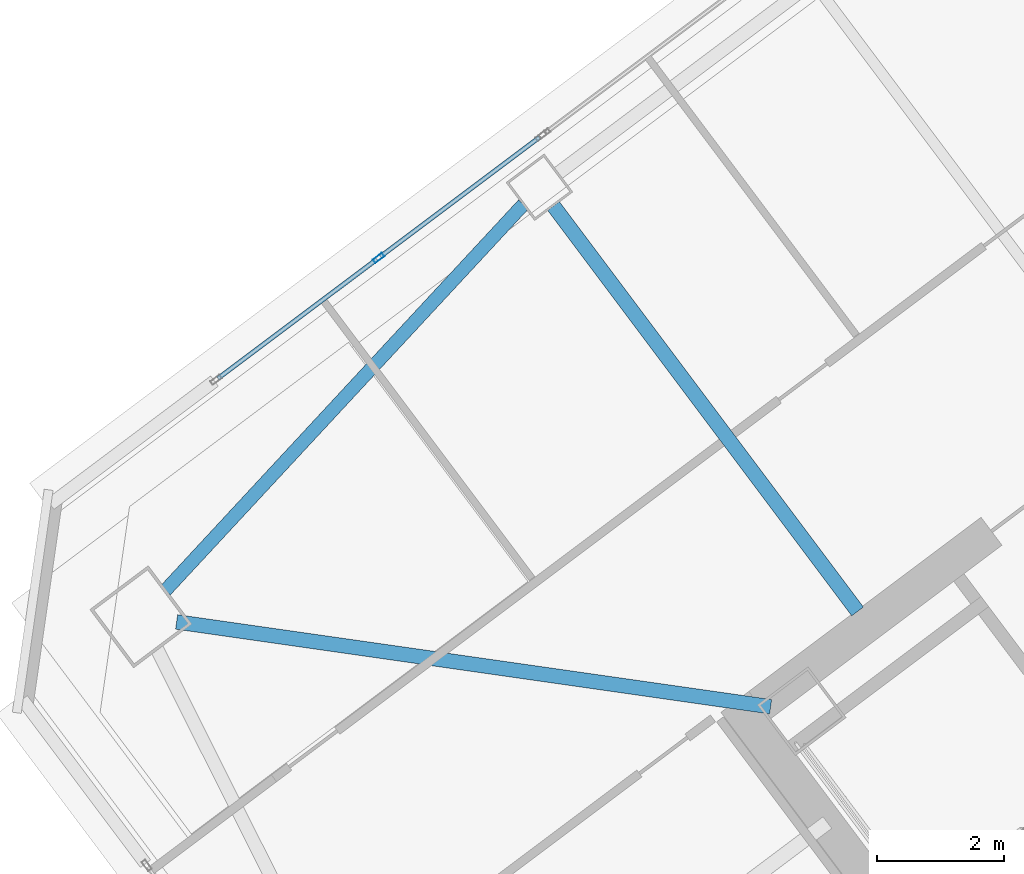
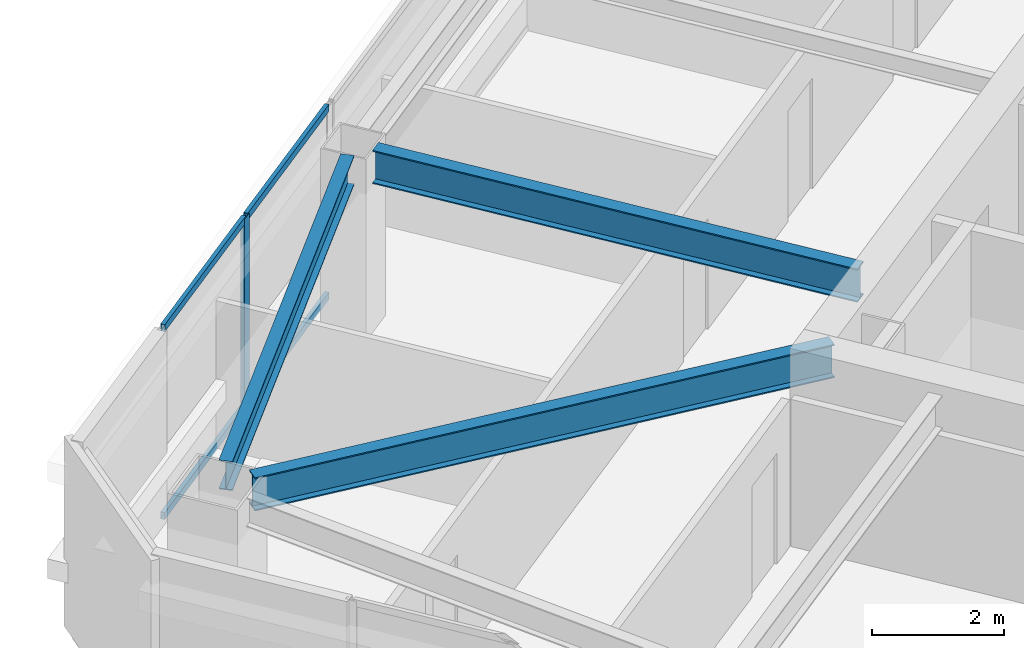
# One storey, part 22 of 43: 5 members, 3 beams, 1 element without a shape of its own.
"""IFC4 building model written with IfcOpenShell, lengths in metres."""

from ifc_helpers import new_model, si_unit, direction, frame, origin, origin_2d, place, context, subcontext, project, spatial, hollow_rectangle, i_section, extrude, material, material_profile, profile_set, type_object, element, aggregate, save


model = new_model("IFC4")

# Units and contexts
model_context = context("Model", 3, precision=1e-05, world=origin(), true_north=direction((0.0, 1.0)))
body_context = subcontext(model_context, "Body", "Model", "MODEL_VIEW")
ifc_project = project(units=[si_unit("LENGTHUNIT", "METRE"), si_unit("AREAUNIT", "SQUARE_METRE"), si_unit("VOLUMEUNIT", "CUBIC_METRE"), si_unit("PLANEANGLEUNIT", "RADIAN"), si_unit("MASSUNIT", "GRAM", prefix="KILO")], contexts=[model_context])

# Site, building, storey
site_placement = place(None, origin())
site = spatial("IfcSite", under=ifc_project, at=site_placement, CompositionType="ELEMENT")
building_placement = place(site_placement, origin())
building = spatial("IfcBuilding", under=site, at=building_placement, Name="Tashvorn Skyway Center", CompositionType="ELEMENT")
storey_placement = place(building_placement, frame((0.0, 0.0, 160.550048828125)))
storey = spatial("IfcBuildingStorey", under=building, at=storey_placement, Name="L43", CompositionType="ELEMENT", Elevation=160.550048828125)

# Beams
ifc_material_1 = material(Name="Steel ASTM A992 Grade 50", Category="steel")
ifc_material_profile_1 = material_profile(ifc_material_1, i_section(OverallWidth=0.22998046875, OverallDepth=0.616943359375, WebThickness=0.01318359375, FlangeThickness=0.022216796875, at=origin_2d()), Name="W24X94")
ifc_profile_set_1 = profile_set([ifc_material_profile_1], Name="Steel ASTM A992 Grade 50")
beam_type_1 = type_object("IfcBeamType", Name="BM-BEAM-W24X94", PredefinedType="BEAM", material=ifc_profile_set_1)
beam_1_placement = place(storey_placement, frame((94.26416015625, 34.8193359375, 3.0615234375), z_axis=(0.989950009213, -0.141417747326, 0.0), x_axis=(0.141417747326, 0.989950009213, 0.0)))
element("IfcBeam", 1, at=beam_1_placement, inside=storey, type_object=beam_type_1, Name="Tower 2 L43 Primary Floor Girder MC-NW", PredefinedType="BEAM", context=body_context, shape_type="SweptSolid", body=[
    extrude(i_section(OverallWidth=0.22998046875, OverallDepth=0.616943359375, WebThickness=0.01318359375, FlangeThickness=0.022216796875, at=origin_2d()), origin(), (0.0, 0.0, 1.0), 9.470947265625),
])
beam_2_placement = place(storey_placement, frame((100.2119140625, 41.384033203125, 3.0615234375), z_axis=(0.599995117266, -0.800003662027, 0.0), x_axis=(0.800003662027, 0.599995117266, 0.0)))
element("IfcBeam", 2, at=beam_2_placement, inside=storey, type_object=beam_type_1, Name="Tower 2 L43 Primary Floor Girder FC-N2", PredefinedType="BEAM", context=body_context, shape_type="SweptSolid", body=[
    extrude(i_section(OverallWidth=0.22998046875, OverallDepth=0.616943359375, WebThickness=0.01318359375, FlangeThickness=0.022216796875, at=origin_2d()), origin(), (0.0, 0.0, 1.0), 8.000244140625),
])
ifc_material_profile_2 = material_profile(ifc_material_1, i_section(OverallWidth=0.2109375, OverallDepth=0.5390625, WebThickness=0.01171875, FlangeThickness=0.018798828125, at=origin_2d()), Name="W21X73")
ifc_profile_set_2 = profile_set([ifc_material_profile_2], Name="Steel ASTM A992 Grade 50")
beam_type_2 = type_object("IfcBeamType", Name="BM-SPANDREL-W21X73", PredefinedType="SPANDREL", material=ifc_profile_set_2)
beam_3_placement = place(storey_placement, frame((99.73828125, 41.40869140625, 3.100341796875), z_axis=(-0.680119661736, -0.733101115618, 0.0), x_axis=(0.733101115618, -0.680119661736, 0.0)))
element("IfcBeam", 3, at=beam_3_placement, inside=storey, type_object=beam_type_2, Name="Tower 2 L43 Spandrel Beam 09", PredefinedType="SPANDREL", context=body_context, shape_type="SweptSolid", body=[
    extrude(i_section(OverallWidth=0.2109375, OverallDepth=0.5390625, WebThickness=0.01171875, FlangeThickness=0.018798828125, at=origin_2d()), origin(), (0.0, 0.0, 1.0), 8.308349609375),
])

# Curtain wall, members
ifc_material_2 = material(Name="Thermally broken bronze-anodized aluminium 6063-T6", Category="aluminium")
curtain_wall_type = type_object("IfcCurtainWallType", Name="CW-CW-Z4", PredefinedType="NOTDEFINED", material=ifc_material_2)
curtain_wall_placement = place(storey_placement, origin())
curtain_wall = element("IfcCurtainWall", 4, at=curtain_wall_placement, inside=storey, type_object=curtain_wall_type, Name="Tower 2 L43 North Unitised Curtain Wall Glazing Group 1", PredefinedType="NOTDEFINED")
ifc_material_profile_3 = material_profile(ifc_material_2, hollow_rectangle(XDim=0.070068359375, YDim=0.179931640625, WallThickness=0.00390625, at=origin_2d()), Name="ALU-MULL-70x180")
ifc_profile_set_3 = profile_set([ifc_material_profile_3], Name="Thermally broken bronze-anodized aluminium 6063-T6")
member_type_1 = type_object("IfcMemberType", Name="CWM-CW-Z4", PredefinedType="MULLION", material=ifc_profile_set_3)
member_1_placement = place(storey_placement, frame((97.451904296875, 40.56396484375, 0.0), z_axis=(0.0, 0.0, 1.0), x_axis=(-0.600000000002, 0.799999999998, 0.0)))
member_1 = element("IfcMember", 5, at=member_1_placement, type_object=member_type_1, Name="CW-Z4 mullion 2", PredefinedType="MULLION", context=body_context, shape_type="SweptSolid", body=[
    extrude(hollow_rectangle(XDim=0.070068359375, YDim=0.179931640625, WallThickness=0.00390625, at=origin_2d()), origin(), (0.0, 0.0, 1.0), 3.550048828125),
])
ifc_material_profile_4 = material_profile(ifc_material_2, hollow_rectangle(XDim=0.070068359375, YDim=0.1298828125, WallThickness=0.00390625, at=origin_2d()), Name="ALU-TRAN-70x130")
ifc_profile_set_4 = profile_set([ifc_material_profile_4], Name="Thermally broken bronze-anodized aluminium 6063-T6")
member_type_2 = type_object("IfcMemberType", Name="CWT-CW-Z4", PredefinedType="USERDEFINED", material=ifc_profile_set_4)
member_2_placement = place(storey_placement, frame((94.916015625, 38.662109375, 0.034912109375), z_axis=(0.800028034763, 0.599962618496, 0.0), x_axis=(-0.599962618496, 0.800028034763, 0.0)))
member_2 = element("IfcMember", 6, at=member_2_placement, type_object=member_type_2, Name="CW-Z4 transom 1.1", ObjectType="TRANSOM", PredefinedType="USERDEFINED", context=body_context, shape_type="SweptSolid", body=[
    extrude(hollow_rectangle(XDim=0.070068359375, YDim=0.1298828125, WallThickness=0.00390625, at=origin_2d()), origin(), (0.0, 0.0, 1.0), 3.135009765625),
])
member_3_placement = place(storey_placement, frame((94.916015625, 38.662109375, 3.514892578125), z_axis=(0.800028034763, 0.599962618496, 0.0), x_axis=(-0.599962618496, 0.800028034763, 0.0)))
member_3 = element("IfcMember", 7, at=member_3_placement, type_object=member_type_2, Name="CW-Z4 transom 1.2", ObjectType="TRANSOM", PredefinedType="USERDEFINED", context=body_context, shape_type="SweptSolid", body=[
    extrude(hollow_rectangle(XDim=0.070068359375, YDim=0.1298828125, WallThickness=0.00390625, at=origin_2d()), origin(), (0.0, 0.0, 1.0), 3.135009765625),
])
member_4_placement = place(storey_placement, frame((97.47998046875, 40.5849609375, 0.034912109375), z_axis=(0.799990655127, 0.600012459628, 0.0), x_axis=(-0.600012459628, 0.799990655127, 0.0)))
member_4 = element("IfcMember", 8, at=member_4_placement, type_object=member_type_2, Name="CW-Z4 transom 2.1", ObjectType="TRANSOM", PredefinedType="USERDEFINED", context=body_context, shape_type="SweptSolid", body=[
    extrude(hollow_rectangle(XDim=0.070068359375, YDim=0.1298828125, WallThickness=0.00390625, at=origin_2d()), origin(), (0.0, 0.0, 1.0), 3.135009765625),
])
member_5_placement = place(storey_placement, frame((97.47998046875, 40.5849609375, 3.514892578125), z_axis=(0.799990655127, 0.600012459628, 0.0), x_axis=(-0.600012459628, 0.799990655127, 0.0)))
member_5 = element("IfcMember", 9, at=member_5_placement, type_object=member_type_2, Name="CW-Z4 transom 2.2", ObjectType="TRANSOM", PredefinedType="USERDEFINED", context=body_context, shape_type="SweptSolid", body=[
    extrude(hollow_rectangle(XDim=0.070068359375, YDim=0.1298828125, WallThickness=0.00390625, at=origin_2d()), origin(), (0.0, 0.0, 1.0), 3.135009765625),
])
aggregate(curtain_wall, [member_1, member_2, member_3, member_4, member_5])

save(model, "model.ifc")
